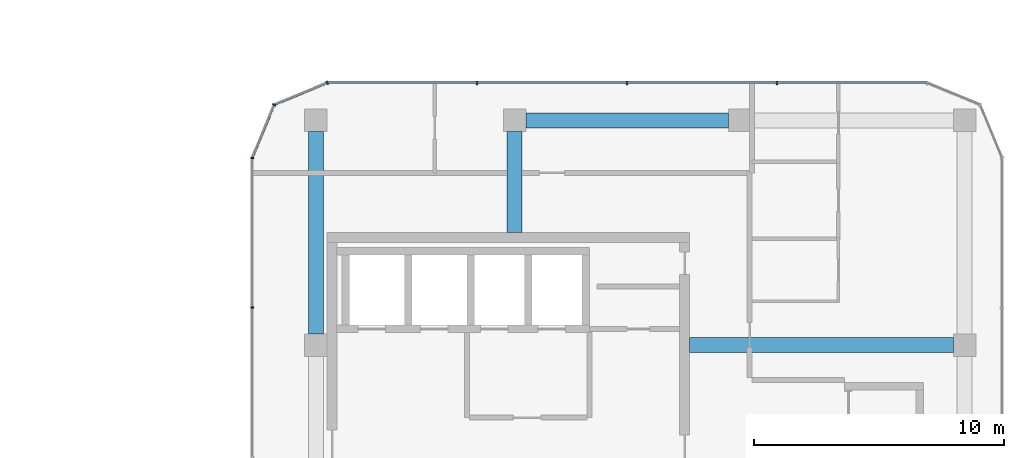
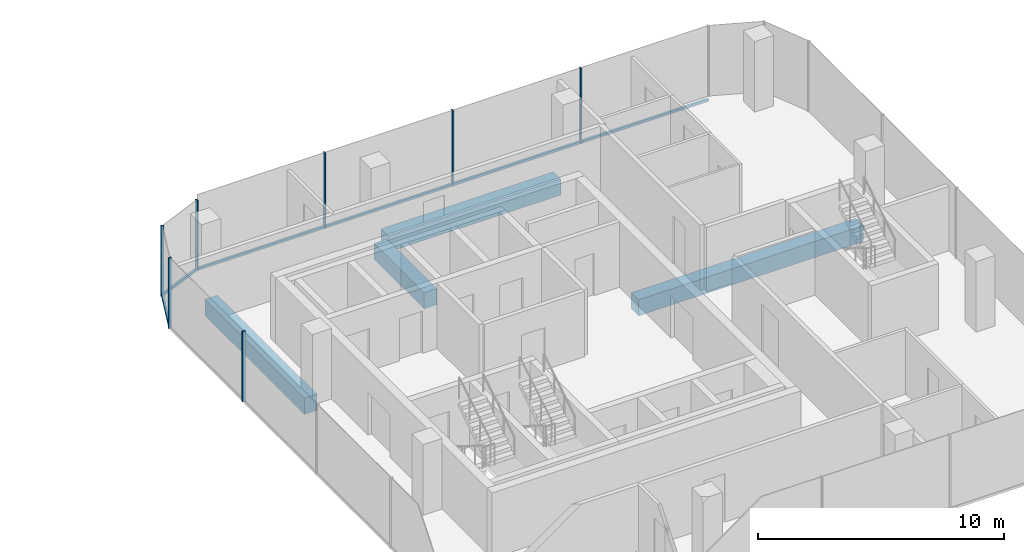
# One storey, part 9 of 22: 10 members, 4 beams, 4 elements without a shape of their own.
"""IFC4 building model written with IfcOpenShell, lengths in metres."""

from ifc_helpers import new_model, si_unit, direction, frame, origin, origin_2d, place, context, subcontext, project, spatial, rectangle, extrude, material, layer, layer_set, material_profile, profile_set, type_object, element, aggregate, save


model = new_model("IFC4")

# Units and contexts
model_context = context("Model", 3, precision=1e-05, world=origin(), true_north=direction((0.0, 1.0)))
body_context = subcontext(model_context, "Body", "Model", "MODEL_VIEW")
ifc_project = project(units=[si_unit("LENGTHUNIT", "METRE"), si_unit("AREAUNIT", "SQUARE_METRE"), si_unit("VOLUMEUNIT", "CUBIC_METRE"), si_unit("PLANEANGLEUNIT", "RADIAN"), si_unit("MASSUNIT", "GRAM", prefix="KILO")], contexts=[model_context])

# Site, building, storey
site_placement = place(None, origin())
site = spatial("IfcSite", under=ifc_project, at=site_placement, CompositionType="ELEMENT")
building_placement = place(site_placement, origin())
building = spatial("IfcBuilding", under=site, at=building_placement, Name="Plateau Cross Towers", CompositionType="ELEMENT")
storey_placement = place(building_placement, frame((0.0, 0.0, 113.300048828125)))
storey = spatial("IfcBuildingStorey", under=building, at=storey_placement, Name="L29", CompositionType="ELEMENT", Elevation=113.300048828125)

# Beams
ifc_material_1 = material(Name="Concrete C60/75", Category="concrete")
ifc_material_profile_1 = material_profile(ifc_material_1, rectangle(XDim=0.60009765625, YDim=0.800048828125, at=origin_2d()), Name="RC 600x800")
ifc_profile_set_1 = profile_set([ifc_material_profile_1], Name="Concrete C60/75")
beam_type_1 = type_object("IfcBeamType", Name="Core beam RC 600x800", PredefinedType="BEAM", material=ifc_profile_set_1)
beam_1_placement = place(storey_placement, frame((89.5, 13.5, -0.650146484375), z_axis=(1.0, 0.0, 0.0), x_axis=(0.0, 1.0, 0.0)))
element("IfcBeam", 1, at=beam_1_placement, inside=storey, type_object=beam_type_1, Name="B-CB03@L29", PredefinedType="BEAM", context=body_context, shape_type="SweptSolid", body=[
    extrude(rectangle(XDim=0.60009765625, YDim=0.800048828125, at=origin_2d()), origin(), (0.0, 0.0, 1.0), 10.550048828125),
])
beam_2_placement = place(storey_placement, frame((82.5, 18.0, -0.650146484375), z_axis=(0.0, 1.0, 0.0), x_axis=(-1.0, 0.0, 0.0)))
element("IfcBeam", 2, at=beam_2_placement, inside=storey, type_object=beam_type_1, Name="B-CB04@L29", PredefinedType="BEAM", context=body_context, shape_type="SweptSolid", body=[
    extrude(rectangle(XDim=0.60009765625, YDim=0.800048828125, at=origin_2d()), origin(), (0.0, 0.0, 1.0), 4.050048828125),
])

# Curtain wall, members
ifc_material_2 = material(Name="Dark low-iron glass", Category="glass")
ifc_layer = layer(ifc_material_2, 0.239990234375)
ifc_layer_set = layer_set([ifc_layer], Name="Dark low-iron glass")
curtain_wall_type = type_object("IfcCurtainWallType", Name="Curtain wall office unitised CW-F", PredefinedType="NOTDEFINED", material=ifc_layer_set)
curtain_wall_1_placement = place(storey_placement, origin())
curtain_wall_1 = element("IfcCurtainWall", 3, at=curtain_wall_1_placement, inside=storey, type_object=curtain_wall_type, Name="ENV/B/L29/B990_240", PredefinedType="NOTDEFINED")
ifc_material_3 = material(Name="Black anodised aluminium", Category="aluminium")
ifc_material_profile_2 = material_profile(ifc_material_3, rectangle(XDim=0.06005859375, YDim=0.139892578125, at=origin_2d()), Name="MULLION 60x140")
ifc_profile_set_2 = profile_set([ifc_material_profile_2], Name="Black anodised aluminium")
member_type_1 = type_object("IfcMemberType", Name="Mullion 60x140 office unitised", PredefinedType="MULLION", material=ifc_profile_set_2)
member_1_placement = place(storey_placement, frame((93.0, 24.0, -0.25), z_axis=(0.0, 0.0, 1.0), x_axis=(-1.0, 0.0, 0.0)))
member_1 = element("IfcMember", 4, at=member_1_placement, type_object=member_type_1, Name="CW-F mullion 2", PredefinedType="MULLION", context=body_context, shape_type="SweptSolid", body=[
    extrude(rectangle(XDim=0.06005859375, YDim=0.139892578125, at=origin_2d()), origin(), (0.0, 0.0, 1.0), 3.75),
])
member_2_placement = place(storey_placement, frame((87.0, 24.0, -0.25), z_axis=(0.0, 0.0, 1.0), x_axis=(-1.0, 0.0, 0.0)))
member_2 = element("IfcMember", 5, at=member_2_placement, type_object=member_type_1, Name="CW-F mullion 3", PredefinedType="MULLION", context=body_context, shape_type="SweptSolid", body=[
    extrude(rectangle(XDim=0.06005859375, YDim=0.139892578125, at=origin_2d()), origin(), (0.0, 0.0, 1.0), 3.75),
])
member_3_placement = place(storey_placement, frame((81.0, 24.0, -0.25), z_axis=(0.0, 0.0, 1.0), x_axis=(-1.0, 0.0, 0.0)))
member_3 = element("IfcMember", 6, at=member_3_placement, type_object=member_type_1, Name="CW-F mullion 4", PredefinedType="MULLION", context=body_context, shape_type="SweptSolid", body=[
    extrude(rectangle(XDim=0.06005859375, YDim=0.139892578125, at=origin_2d()), origin(), (0.0, 0.0, 1.0), 3.75),
])

# Curtain wall, member
curtain_wall_2_placement = place(storey_placement, origin())
curtain_wall_2 = element("IfcCurtainWall", 7, at=curtain_wall_2_placement, inside=storey, type_object=curtain_wall_type, Name="ENV/B/L29/B750_240", PredefinedType="NOTDEFINED")
member_4_placement = place(storey_placement, frame((75.0, 24.0, -0.25), z_axis=(0.0, 0.0, 1.0), x_axis=(-0.923879457699, -0.382683612978, 0.0)))
member_4 = element("IfcMember", 8, at=member_4_placement, type_object=member_type_1, Name="CW-F mullion 1", PredefinedType="MULLION", context=body_context, shape_type="SweptSolid", body=[
    extrude(rectangle(XDim=0.06005859375, YDim=0.139892578125, at=origin_2d()), origin(), (0.0, 0.0, 1.0), 3.5),
])

curtain_wall_3_placement = place(storey_placement, origin())
curtain_wall_3 = element("IfcCurtainWall", 9, at=curtain_wall_3_placement, inside=storey, type_object=curtain_wall_type, Name="ENV/B/L29/B729_231", PredefinedType="NOTDEFINED")
member_5_placement = place(storey_placement, frame((72.878662109375, 23.121337890625, -0.25), z_axis=(0.0, 0.0, 1.0), x_axis=(-0.382683612978, -0.923879457699, 0.0)))
member_5 = element("IfcMember", 10, at=member_5_placement, type_object=member_type_1, Name="CW-F mullion 1", PredefinedType="MULLION", context=body_context, shape_type="SweptSolid", body=[
    extrude(rectangle(XDim=0.06005859375, YDim=0.139892578125, at=origin_2d()), origin(), (0.0, 0.0, 1.0), 3.5),
])

# Curtain wall, members
curtain_wall_4_placement = place(storey_placement, origin())
curtain_wall_4 = element("IfcCurtainWall", 11, at=curtain_wall_4_placement, inside=storey, type_object=curtain_wall_type, Name="ENV/B/L29/B720_210", PredefinedType="NOTDEFINED")
member_6_placement = place(storey_placement, frame((72.0, 21.0, -0.25), z_axis=(0.0, 0.0, 1.0), x_axis=(0.0, -1.0, 0.0)))
member_6 = element("IfcMember", 12, at=member_6_placement, type_object=member_type_1, Name="CW-F mullion 1", PredefinedType="MULLION", context=body_context, shape_type="SweptSolid", body=[
    extrude(rectangle(XDim=0.06005859375, YDim=0.139892578125, at=origin_2d()), origin(), (0.0, 0.0, 1.0), 3.5),
])
member_7_placement = place(storey_placement, frame((72.0, 15.0, -0.25), z_axis=(0.0, 0.0, 1.0), x_axis=(0.0, -1.0, 0.0)))
member_7 = element("IfcMember", 13, at=member_7_placement, type_object=member_type_1, Name="CW-F mullion 2", PredefinedType="MULLION", context=body_context, shape_type="SweptSolid", body=[
    extrude(rectangle(XDim=0.06005859375, YDim=0.139892578125, at=origin_2d()), origin(), (0.0, 0.0, 1.0), 3.5),
])
aggregate(curtain_wall_4, [member_6, member_7])

# Beams
ifc_material_profile_3 = material_profile(ifc_material_1, rectangle(XDim=0.60009765625, YDim=0.800048828125, at=origin_2d()), Name="RC 600x800")
ifc_profile_set_3 = profile_set([ifc_material_profile_3], Name="Concrete C60/75")
beam_type_2 = type_object("IfcBeamType", Name="Ring beam RC 600x800", PredefinedType="BEAM", material=ifc_profile_set_3)
for number, where, z_axis, x_axis, name in (
    (14, (91.050048828125, 22.5, -0.650146484375), (-1.0, 0.0, 0.0), (0.0, -1.0, 0.0), "B-RB07@L29"),
    (15, (74.550048828125, 22.050048828125, -0.650146484375), (0.0, -1.0, 0.0), (1.0, 0.0, 0.0), "B-RB08@L29"),
):
    element("IfcBeam", number, at=place(storey_placement, frame(where, z_axis=z_axis, x_axis=x_axis)), inside=storey, type_object=beam_type_2, Name=name, PredefinedType="BEAM", context=body_context, shape_type="SweptSolid", body=[
        extrude(rectangle(XDim=0.60009765625, YDim=0.800048828125, at=origin_2d()), origin(), (0.0, 0.0, 1.0), 8.10009765625),
    ])

# Member
ifc_material_profile_4 = material_profile(ifc_material_3, rectangle(XDim=0.10009765625, YDim=0.1201171875, at=origin_2d()), Name="TRANSOM 100x120")
ifc_profile_set_4 = profile_set([ifc_material_profile_4], Name="Black anodised aluminium")
member_type_2 = type_object("IfcMemberType", Name="Transom 100x120 office unitised", PredefinedType="USERDEFINED", material=ifc_profile_set_4)
member_8_placement = place(storey_placement, frame((99.0, 24.0, -0.18994140625), z_axis=(-1.0, 0.0, 0.0), x_axis=(0.0, -1.0, 0.0)))
member_8 = element("IfcMember", 16, at=member_8_placement, type_object=member_type_2, Name="CW-F transom", ObjectType="TRANSOM", PredefinedType="USERDEFINED", context=body_context, shape_type="SweptSolid", body=[
    extrude(rectangle(XDim=0.10009765625, YDim=0.1201171875, at=origin_2d()), origin(), (0.0, 0.0, 1.0), 24.0),
])

aggregate(curtain_wall_1, [member_1, member_2, member_3, member_8])

member_9_placement = place(storey_placement, frame((75.0, 24.0, -0.18994140625), z_axis=(-0.923883353507, -0.382674207535, 0.0), x_axis=(0.382674207535, -0.923883353507, 0.0)))
member_9 = element("IfcMember", 17, at=member_9_placement, type_object=member_type_2, Name="CW-F transom", ObjectType="TRANSOM", PredefinedType="USERDEFINED", context=body_context, shape_type="SweptSolid", body=[
    extrude(rectangle(XDim=0.10009765625, YDim=0.1201171875, at=origin_2d()), origin(), (0.0, 0.0, 1.0), 2.296142578125),
])

aggregate(curtain_wall_2, [member_4, member_9])

member_10_placement = place(storey_placement, frame((72.878662109375, 23.121337890625, -0.18994140625), z_axis=(-0.382674207535, -0.923883353507, 0.0), x_axis=(0.923883353507, -0.382674207535, 0.0)))
member_10 = element("IfcMember", 18, at=member_10_placement, type_object=member_type_2, Name="CW-F transom", ObjectType="TRANSOM", PredefinedType="USERDEFINED", context=body_context, shape_type="SweptSolid", body=[
    extrude(rectangle(XDim=0.10009765625, YDim=0.1201171875, at=origin_2d()), origin(), (0.0, 0.0, 1.0), 2.296142578125),
])

aggregate(curtain_wall_3, [member_5, member_10])

save(model, "model.ifc")
